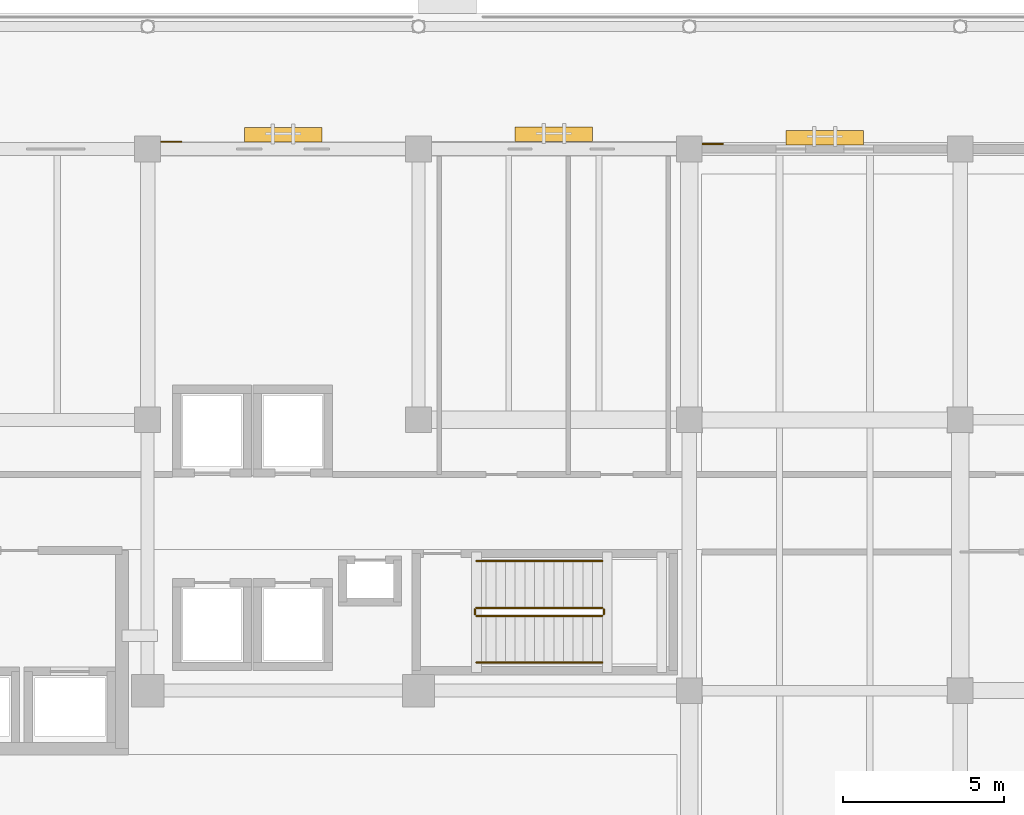
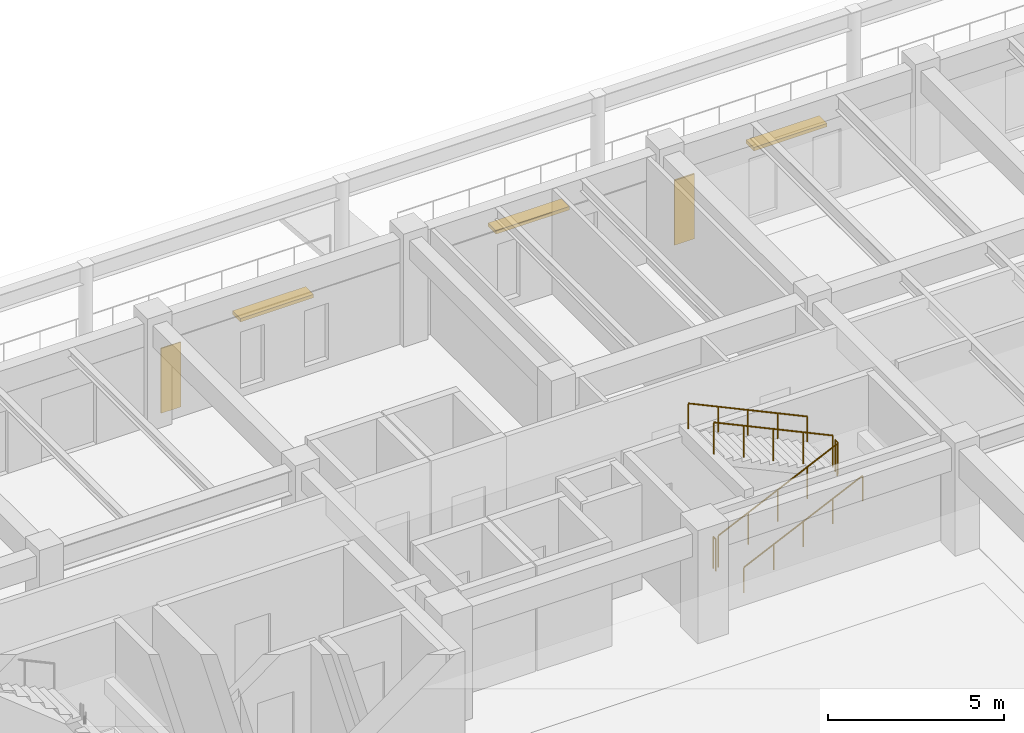
# One storey, part 118 of 135: 6 railings, 3 shading devices, 2 coverings.
"""IFC4 building model written with IfcOpenShell, lengths in metres."""

from ifc_helpers import new_model, si_unit, direction, frame, origin, origin_2d, place, context, subcontext, project, spatial, polyline, rectangle, circle, outline, extrude, material, layer, layer_set, type_object, element, save


model = new_model("IFC4")

# Units and contexts
model_context = context("Model", 3, precision=1e-05, world=origin(), true_north=direction((0.0, 1.0)))
body_context = subcontext(model_context, "Body", "Model", "MODEL_VIEW")
ifc_project = project(units=[si_unit("LENGTHUNIT", "METRE"), si_unit("AREAUNIT", "SQUARE_METRE"), si_unit("VOLUMEUNIT", "CUBIC_METRE"), si_unit("PLANEANGLEUNIT", "RADIAN"), si_unit("MASSUNIT", "GRAM", prefix="KILO")], contexts=[model_context])

# Site, building, storey
site_placement = place(None, origin())
site = spatial("IfcSite", under=ifc_project, at=site_placement, CompositionType="ELEMENT")
building_placement = place(site_placement, origin())
building = spatial("IfcBuilding", under=site, at=building_placement, Name="Cumbredor Promenade Congress Hotel", CompositionType="ELEMENT")
storey_placement = place(building_placement, origin())
storey = spatial("IfcBuildingStorey", under=building, at=storey_placement, Name="L00", CompositionType="ELEMENT", Elevation=0.0)

# Covering
ifc_material_1 = material(Name="Precast concrete C40/50", Category="concrete")
ifc_layer_1 = layer(ifc_material_1, 0.044921875, Name="Precast concrete C40/50", Category="concrete")
ifc_layer_set_1 = layer_set([ifc_layer_1], Name="Precast concrete C40/50")
covering_type_1 = type_object("IfcCoveringType", Name="Board-Formed Architectural Cladding Panel 45mm", PredefinedType="CLADDING", material=ifc_layer_set_1)
covering_1_placement = place(storey_placement, origin())
element("IfcCovering", 1, at=covering_1_placement, inside=storey, type_object=covering_type_1, Name="L00 Facade Stone Cladding Pier 040", PredefinedType="CLADDING", context=body_context, shape_type="SweptSolid", body=[
    extrude(outline(polyline([(50.801025390625, 117.72998046875), (51.450927734375, 117.72998046875), (51.450927734375, 117.77490234375), (50.801025390625, 117.77490234375), (50.801025390625, 117.72998046875)])), origin(), (0.0, 0.0, 1.0), 2.25),
])

# Shading devices
ifc_material_2 = material(Name="Thermally broken anodized aluminium", Category="aluminium")
shading_device_type = type_object("IfcShadingDeviceType", Name="Horizontal Bronze Jalousie Louvre JAL-01", PredefinedType="JALOUSIE", material=ifc_material_2)
for number, where, z_axis, x_axis, name in (
    (2, (37.800048828125, 118.03759765625, 2.260009765625), (0.0, 0.0, 1.0), (1.0, 0.0, 0.0), "L00 Horizontal Bronze Jalousie 029"),
    (3, (46.199951171875, 118.050048828125, 2.35986328125), (0.0, 0.0, 1.0), (1.0, 0.0, 0.0), "L00 Horizontal Bronze Jalousie 030"),
    (4, (54.60009765625, 117.955078125, 2.35986328125), (0.0, 0.0, 1.0), (1.0, 0.0, 0.0), "L00 Horizontal Bronze Jalousie 031"),
):
    element("IfcShadingDevice", number, at=place(storey_placement, frame(where, z_axis=z_axis, x_axis=x_axis)), inside=storey, type_object=shading_device_type, Name=name, PredefinedType="JALOUSIE", context=body_context, shape_type="SweptSolid", body=[
        extrude(rectangle(XDim=2.39990234375, YDim=0.449951171875, at=origin_2d()), origin(), (0.0, 0.0, 1.0), 0.1201171875),
    ])

# Railings
ifc_material_3 = material(Name="Brushed stainless steel", Category="steel")
railing_type_1 = type_object("IfcRailingType", Name="Interior Void & Stair Guardrail GR-1100", PredefinedType="GUARDRAIL", material=ifc_material_3)
railing_1_placement = place(storey_placement, frame((43.800048828125, 103.1201171875, 0.139892578125)))
element("IfcRailing", 5, at=railing_1_placement, inside=storey, type_object=railing_type_1, Name="L00 ST-03 stair guard 1", PredefinedType="GUARDRAIL", context=body_context, shape_type="SweptSolid", body=[
    extrude(circle(Radius=0.02392578125, at=origin_2d()), frame((0.0, 0.0, 1.09619140625), z_axis=(0.906172994947, 0.0, 0.42290720404), x_axis=(0.0, 1.0, 0.0)), (0.0, 0.0, 1.0), 4.3037109375),
    extrude(circle(Radius=0.02099609375, at=origin_2d()), origin(), (0.0, 0.0, 1.0), 1.072021484375),
    extrude(circle(Radius=0.02099609375, at=origin_2d()), frame((0.97509765625, 0.0, 0.455078125)), (0.0, 0.0, 1.0), 1.072021484375),
    extrude(circle(Radius=0.02099609375, at=origin_2d()), frame((1.949951171875, 0.0, 0.91015625)), (0.0, 0.0, 1.0), 1.072021484375),
    extrude(circle(Radius=0.02099609375, at=origin_2d()), frame((2.9248046875, 0.0, 1.364990234375)), (0.0, 0.0, 1.0), 1.072021484375),
    extrude(circle(Radius=0.02099609375, at=origin_2d()), frame((3.89990234375, 0.0, 1.820068359375)), (0.0, 0.0, 1.0), 1.072021484375),
])
railing_2_placement = place(storey_placement, frame((47.75, 103.169921875, 1.9599609375)))
element("IfcRailing", 6, at=railing_2_placement, inside=storey, type_object=railing_type_1, Name="L00 ST-03 stair guard 2", PredefinedType="GUARDRAIL", context=body_context, shape_type="SweptSolid", body=[
    extrude(circle(Radius=0.02392578125, at=origin_2d()), frame((0.0, 0.0, 1.09619140625), z_axis=(0.0, 1.0, 0.0), x_axis=(-1.0, 0.0, 0.0)), (0.0, 0.0, 1.0), 0.150146484375),
    extrude(circle(Radius=0.02099609375, at=origin_2d()), origin(), (0.0, 0.0, 1.0), 1.072021484375),
    extrude(circle(Radius=0.02099609375, at=origin_2d()), frame((0.0, 0.150146484375, 0.0)), (0.0, 0.0, 1.0), 1.072021484375),
])
railing_3_placement = place(storey_placement, frame((47.699951171875, 103.3701171875, 2.10009765625)))
element("IfcRailing", 7, at=railing_3_placement, inside=storey, type_object=railing_type_1, Name="L00 ST-03 stair guard 3", PredefinedType="GUARDRAIL", context=body_context, shape_type="SweptSolid", body=[
    extrude(circle(Radius=0.02392578125, at=origin_2d()), frame((0.0, 0.0, 1.09619140625), z_axis=(-0.906194733976, 0.0, 0.422860620199), x_axis=(0.0, -1.0, 0.0)), (0.0, 0.0, 1.0), 4.3037109375),
    extrude(circle(Radius=0.02099609375, at=origin_2d()), origin(), (0.0, 0.0, 1.0), 1.072021484375),
    extrude(circle(Radius=0.02099609375, at=origin_2d()), frame((-0.97509765625, 0.0, 0.455078125)), (0.0, 0.0, 1.0), 1.072021484375),
    extrude(circle(Radius=0.02099609375, at=origin_2d()), frame((-1.949951171875, 0.0, 0.909912109375)), (0.0, 0.0, 1.0), 1.072021484375),
    extrude(circle(Radius=0.02099609375, at=origin_2d()), frame((-2.9248046875, 0.0, 1.36474609375)), (0.0, 0.0, 1.0), 1.072021484375),
    extrude(circle(Radius=0.02099609375, at=origin_2d()), frame((-3.89990234375, 0.0, 1.81982421875)), (0.0, 0.0, 1.0), 1.072021484375),
])
railing_4_placement = place(storey_placement, frame((43.75, 103.169921875, 0.0)))
element("IfcRailing", 8, at=railing_4_placement, inside=storey, type_object=railing_type_1, Name="L00 ST-03 stair guard 4", PredefinedType="GUARDRAIL", context=body_context, shape_type="SweptSolid", body=[
    extrude(circle(Radius=0.02392578125, at=origin_2d()), frame((0.0, 0.0, 1.09619140625), z_axis=(0.0, 1.0, 0.0), x_axis=(-1.0, 0.0, 0.0)), (0.0, 0.0, 1.0), 0.150146484375),
    extrude(circle(Radius=0.02099609375, at=origin_2d()), origin(), (0.0, 0.0, 1.0), 1.072021484375),
    extrude(circle(Radius=0.02099609375, at=origin_2d()), frame((0.0, 0.150146484375, 0.0)), (0.0, 0.0, 1.0), 1.072021484375),
])
railing_type_2 = type_object("IfcRailingType", Name="Stair Pitch Handrail HR-900", PredefinedType="HANDRAIL", material=ifc_material_3)
railing_5_placement = place(storey_placement, frame((43.800048828125, 101.669921875, 0.139892578125)))
element("IfcRailing", 9, at=railing_5_placement, inside=storey, type_object=railing_type_2, Name="L00 ST-03 stair handrail 1", PredefinedType="HANDRAIL", context=body_context, shape_type="SweptSolid", body=[
    extrude(circle(Radius=0.02392578125, at=origin_2d()), frame((0.0, 0.0, 0.8759765625), z_axis=(0.906172994947, 0.0, 0.42290720404), x_axis=(0.0, 1.0, 0.0)), (0.0, 0.0, 1.0), 4.3037109375),
    extrude(circle(Radius=0.02099609375, at=origin_2d()), origin(), (0.0, 0.0, 1.0), 0.851806640625),
    extrude(circle(Radius=0.02099609375, at=origin_2d()), frame((0.97509765625, 0.0, 0.455078125)), (0.0, 0.0, 1.0), 0.851806640625),
    extrude(circle(Radius=0.02099609375, at=origin_2d()), frame((1.949951171875, 0.0, 0.91015625)), (0.0, 0.0, 1.0), 0.851806640625),
    extrude(circle(Radius=0.02099609375, at=origin_2d()), frame((2.9248046875, 0.0, 1.364990234375)), (0.0, 0.0, 1.0), 0.851806640625),
    extrude(circle(Radius=0.02099609375, at=origin_2d()), frame((3.89990234375, 0.0, 1.820068359375)), (0.0, 0.0, 1.0), 0.851806640625),
])
railing_6_placement = place(storey_placement, frame((47.699951171875, 104.820068359375, 2.10009765625)))
element("IfcRailing", 10, at=railing_6_placement, inside=storey, type_object=railing_type_2, Name="L00 ST-03 stair handrail 2", PredefinedType="HANDRAIL", context=body_context, shape_type="SweptSolid", body=[
    extrude(circle(Radius=0.02392578125, at=origin_2d()), frame((0.0, 0.0, 0.8759765625), z_axis=(-0.906194733976, 0.0, 0.422860620199), x_axis=(0.0, -1.0, 0.0)), (0.0, 0.0, 1.0), 4.3037109375),
    extrude(circle(Radius=0.02099609375, at=origin_2d()), origin(), (0.0, 0.0, 1.0), 0.851806640625),
    extrude(circle(Radius=0.02099609375, at=origin_2d()), frame((-0.97509765625, 0.0, 0.455078125)), (0.0, 0.0, 1.0), 0.851806640625),
    extrude(circle(Radius=0.02099609375, at=origin_2d()), frame((-1.949951171875, 0.0, 0.909912109375)), (0.0, 0.0, 1.0), 0.851806640625),
    extrude(circle(Radius=0.02099609375, at=origin_2d()), frame((-2.9248046875, 0.0, 1.36474609375)), (0.0, 0.0, 1.0), 0.851806640625),
    extrude(circle(Radius=0.02099609375, at=origin_2d()), frame((-3.89990234375, 0.0, 1.81982421875)), (0.0, 0.0, 1.0), 0.851806640625),
])

# Covering
ifc_material_4 = material(Name="Volcanic andesite ashlar cladding", Category="masonry")
ifc_layer_2 = layer(ifc_material_4, 0.034912109375, Name="Volcanic andesite ashlar cladding", Category="masonry")
ifc_layer_set_2 = layer_set([ifc_layer_2], Name="Volcanic andesite ashlar cladding")
covering_type_2 = type_object("IfcCoveringType", Name="Volcanic Andesite Ashlar Rainscreen Cladding 35mm", PredefinedType="CLADDING", material=ifc_layer_set_2)
covering_2_placement = place(storey_placement, origin())
element("IfcCovering", 11, at=covering_2_placement, inside=storey, type_object=covering_type_2, Name="L00 Facade Stone Cladding Pier 039", PredefinedType="CLADDING", context=body_context, shape_type="SweptSolid", body=[
    extrude(outline(polyline([(34.0009765625, 117.8125), (34.65087890625, 117.8125), (34.65087890625, 117.847412109375), (34.0009765625, 117.847412109375), (34.0009765625, 117.8125)])), origin(), (0.0, 0.0, 1.0), 2.25),
])

save(model, "model.ifc")
